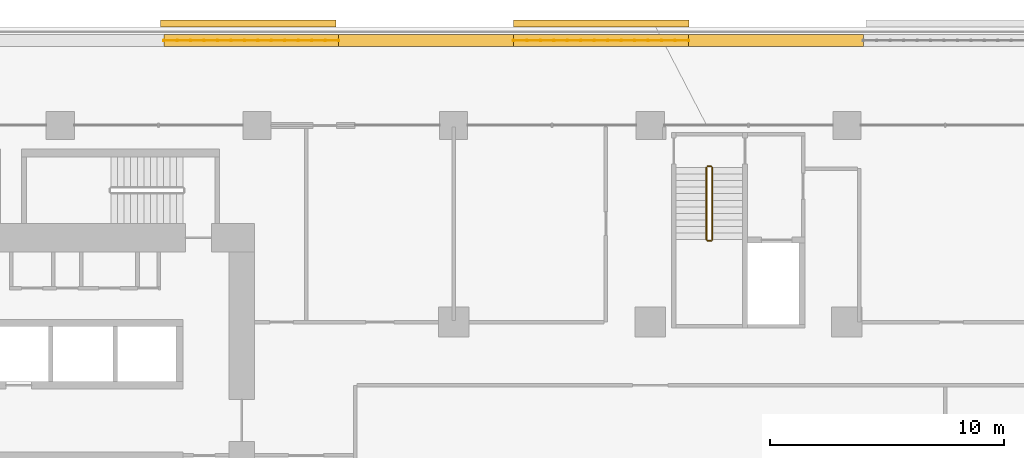
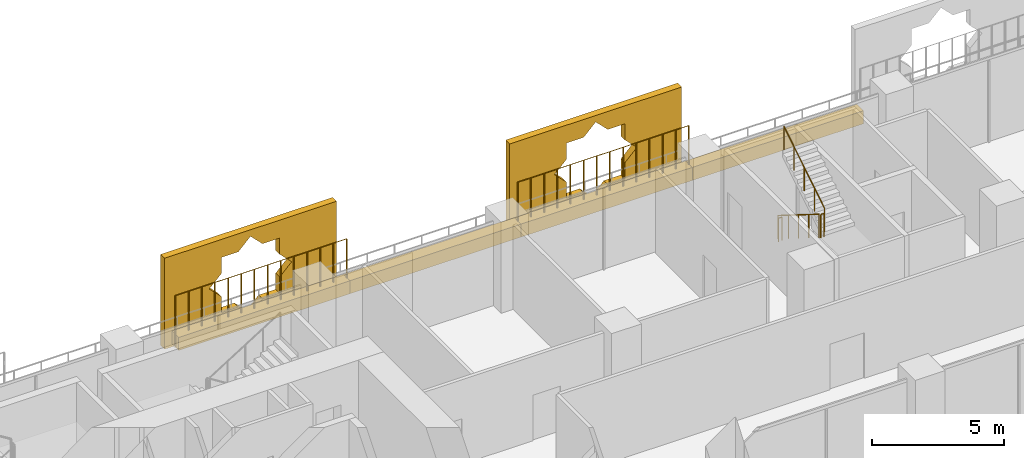
# One storey, part 26 of 27: 6 coverings, 6 railings.
"""IFC4 building model written with IfcOpenShell, lengths in metres."""

from ifc_helpers import new_model, si_unit, direction, frame, origin, origin_2d, place, context, subcontext, project, spatial, polyline, rectangle, circle, outline, extrude, material, material_profile, profile_set, type_object, element, save


model = new_model("IFC4")

# Units and contexts
model_context = context("Model", 3, precision=1e-05, world=origin(), true_north=direction((0.0, 1.0)))
body_context = subcontext(model_context, "Body", "Model", "MODEL_VIEW")
ifc_project = project(units=[si_unit("LENGTHUNIT", "METRE"), si_unit("AREAUNIT", "SQUARE_METRE"), si_unit("VOLUMEUNIT", "CUBIC_METRE"), si_unit("PLANEANGLEUNIT", "RADIAN"), si_unit("MASSUNIT", "GRAM", prefix="KILO")], contexts=[model_context])

# Site, building, storey
site_placement = place(None, origin())
site = spatial("IfcSite", under=ifc_project, at=site_placement, CompositionType="ELEMENT")
building_placement = place(site_placement, origin())
building = spatial("IfcBuilding", under=site, at=building_placement, Name="Kawkab Arch Medical Tower", CompositionType="ELEMENT")
storey_placement = place(building_placement, frame((0.0, 0.0, 43.39990234375)))
storey = spatial("IfcBuildingStorey", under=building, at=storey_placement, Name="L09", CompositionType="ELEMENT", Elevation=43.39990234375)

# Coverings
ifc_material_1 = material(Name="Bronze anodised aluminium mashrabiya panel, eight-point star pattern", Category="aluminium")
ifc_material_profile_1 = material_profile(ifc_material_1, outline(polyline([(-3.75, -2.10009765625), (3.75, -2.10009765625), (3.75, 2.10009765625), (-3.75, 2.10009765625), (-3.75, -2.10009765625)]), holes=[polyline([(1.800048828125, 0.0), (1.272705078125, 0.527099609375), (1.272705078125, 1.272705078125), (0.527099609375, 1.272705078125), (0.0, 1.800048828125), (-0.527099609375, 1.272705078125), (-1.272705078125, 1.272705078125), (-1.272705078125, 0.527099609375), (-1.800048828125, 0.0), (-1.272705078125, -0.527099609375), (-1.272705078125, -1.272705078125), (-0.527099609375, -1.272705078125), (0.0, -1.800048828125), (0.527099609375, -1.272705078125), (1.272705078125, -1.272705078125), (1.272705078125, -0.527099609375), (1.800048828125, 0.0)])]), Name="Mashrabiya panel 7500x4200")
ifc_profile_set_1 = profile_set([ifc_material_profile_1], Name="Bronze anodised aluminium mashrabiya panel, eight-point star pattern")
covering_type_1 = type_object("IfcCoveringType", Name="Mashrabiya panel 7500 x 4200", PredefinedType="USERDEFINED", material=ifc_profile_set_1)
for number, where, z_axis, x_axis, name in (
    (1, (24.83544921875, 4.199951171875, 1.7001953125), (0.0, 1.0, 0.0), (-1.0, 0.0, 0.0), "Mashrabiya panel L09.LOG-01-02.7"),
    (2, (39.89990234375, 4.199951171875, 1.7001953125), (0.0, 1.0, 0.0), (-1.0, 0.0, 0.0), "Mashrabiya panel L09.LOG-01-02.8"),
):
    element("IfcCovering", number, at=place(storey_placement, frame(where, z_axis=z_axis, x_axis=x_axis)), inside=storey, type_object=covering_type_1, Name=name, ObjectType="SCREEN", PredefinedType="USERDEFINED", context=body_context, shape_type="SweptSolid", body=[
        extrude(outline(polyline([(-3.75, -2.10009765625), (3.75, -2.10009765625), (3.75, 2.10009765625), (-3.75, 2.10009765625), (-3.75, -2.10009765625)]), holes=[polyline([(1.800048828125, 0.0), (1.272705078125, 0.527099609375), (1.272705078125, 1.272705078125), (0.527099609375, 1.272705078125), (0.0, 1.800048828125), (-0.527099609375, 1.272705078125), (-1.272705078125, 1.272705078125), (-1.272705078125, 0.527099609375), (-1.800048828125, 0.0), (-1.272705078125, -0.527099609375), (-1.272705078125, -1.272705078125), (-0.527099609375, -1.272705078125), (0.0, -1.800048828125), (0.527099609375, -1.272705078125), (1.272705078125, -1.272705078125), (1.272705078125, -0.527099609375), (1.800048828125, 0.0)])]), origin(), (0.0, 0.0, 1.0), 0.300048828125),
    ])
ifc_material_2 = material(Name="Planting soil in a precast trough", Category="concrete")
ifc_material_profile_2 = material_profile(ifc_material_2, rectangle(XDim=0.5, YDim=0.60009765625, at=origin_2d()), Name="Trough 500x600")
ifc_profile_set_2 = profile_set([ifc_material_profile_2], Name="Planting soil in a precast trough")
covering_type_2 = type_object("IfcCoveringType", Name="Planter trough 500 x 600", PredefinedType="USERDEFINED", material=ifc_profile_set_2)
covering_placement = place(storey_placement, frame((21.22412109375, 3.6201171875, 0.300048828125), z_axis=(1.0, 0.0, 0.0), x_axis=(0.0, 1.0, 0.0)))
element("IfcCovering", 3, at=covering_placement, inside=storey, type_object=covering_type_2, Name="Planter L09.LOG-01-02.27", ObjectType="PLANTER", PredefinedType="USERDEFINED", context=body_context, shape_type="SweptSolid", body=[
    extrude(rectangle(XDim=0.5, YDim=0.60009765625, at=origin_2d()), origin(), (0.0, 0.0, 1.0), 7.470947265625),
])
for number, where, z_axis, x_axis, name in (
    (4, (28.695068359375, 3.6201171875, 0.300048828125), (1.0, 0.0, 0.0), (0.0, 1.0, 0.0), "Planter L09.LOG-01-02.28"),
    (5, (36.1650390625, 3.6201171875, 0.300048828125), (1.0, 0.0, 0.0), (0.0, 1.0, 0.0), "Planter L09.LOG-01-02.29"),
    (6, (43.635009765625, 3.6201171875, 0.300048828125), (1.0, 0.0, 0.0), (0.0, 1.0, 0.0), "Planter L09.LOG-01-02.30"),
):
    element("IfcCovering", number, at=place(storey_placement, frame(where, z_axis=z_axis, x_axis=x_axis)), inside=storey, type_object=covering_type_2, Name=name, ObjectType="PLANTER", PredefinedType="USERDEFINED", context=body_context, shape_type="SweptSolid", body=[
        extrude(rectangle(XDim=0.5, YDim=0.60009765625, at=origin_2d()), origin(), (0.0, 0.0, 1.0), 7.469970703125),
    ])

# Railings
ifc_material_3 = material(Name="Bronze anodised aluminium trellis for climbing plants", Category="aluminium")
railing_type_1 = type_object("IfcRailingType", Name="Planting trellis 2400", PredefinedType="USERDEFINED", material=ifc_material_3)
railing_1_placement = place(storey_placement, frame((21.22412109375, 3.6201171875, 0.0)))
element("IfcRailing", 7, at=railing_1_placement, inside=storey, type_object=railing_type_1, Name="Planting trellis L09.LOG-01-02.27", ObjectType="TRELLIS", PredefinedType="USERDEFINED", context=body_context, shape_type="SweptSolid", body=[
    extrude(circle(Radius=0.01513671875, at=origin_2d()), frame((0.0, 0.0, 2.384765625), z_axis=(1.0, 0.0, 0.0), x_axis=(0.0, 1.0, 0.0)), (0.0, 0.0, 1.0), 7.470947265625),
    extrude(circle(Radius=0.030029296875, at=origin_2d()), origin(), (0.0, 0.0, 1.0), 2.369873046875),
    extrude(circle(Radius=0.030029296875, at=origin_2d()), frame((0.57470703125, 0.0, 0.0)), (0.0, 0.0, 1.0), 2.369873046875),
    extrude(circle(Radius=0.030029296875, at=origin_2d()), frame((1.1494140625, 0.0, 0.0)), (0.0, 0.0, 1.0), 2.369873046875),
    extrude(circle(Radius=0.030029296875, at=origin_2d()), frame((1.72412109375, 0.0, 0.0)), (0.0, 0.0, 1.0), 2.369873046875),
    extrude(circle(Radius=0.030029296875, at=origin_2d()), frame((2.298828125, 0.0, 0.0)), (0.0, 0.0, 1.0), 2.369873046875),
    extrude(circle(Radius=0.030029296875, at=origin_2d()), frame((2.87353515625, 0.0, 0.0)), (0.0, 0.0, 1.0), 2.369873046875),
    extrude(circle(Radius=0.030029296875, at=origin_2d()), frame((3.4482421875, 0.0, 0.0)), (0.0, 0.0, 1.0), 2.369873046875),
    extrude(circle(Radius=0.030029296875, at=origin_2d()), frame((4.022705078125, 0.0, 0.0)), (0.0, 0.0, 1.0), 2.369873046875),
    extrude(circle(Radius=0.030029296875, at=origin_2d()), frame((4.597412109375, 0.0, 0.0)), (0.0, 0.0, 1.0), 2.369873046875),
    extrude(circle(Radius=0.030029296875, at=origin_2d()), frame((5.172119140625, 0.0, 0.0)), (0.0, 0.0, 1.0), 2.369873046875),
    extrude(circle(Radius=0.030029296875, at=origin_2d()), frame((5.746826171875, 0.0, 0.0)), (0.0, 0.0, 1.0), 2.369873046875),
    extrude(circle(Radius=0.030029296875, at=origin_2d()), frame((6.321533203125, 0.0, 0.0)), (0.0, 0.0, 1.0), 2.369873046875),
    extrude(circle(Radius=0.030029296875, at=origin_2d()), frame((6.896240234375, 0.0, 0.0)), (0.0, 0.0, 1.0), 2.369873046875),
    extrude(circle(Radius=0.030029296875, at=origin_2d()), frame((7.470947265625, 0.0, 0.0)), (0.0, 0.0, 1.0), 2.369873046875),
])
railing_2_placement = place(storey_placement, frame((36.1650390625, 3.6201171875, 0.0)))
element("IfcRailing", 8, at=railing_2_placement, inside=storey, type_object=railing_type_1, Name="Planting trellis L09.LOG-01-02.29", ObjectType="TRELLIS", PredefinedType="USERDEFINED", context=body_context, shape_type="SweptSolid", body=[
    extrude(circle(Radius=0.01513671875, at=origin_2d()), frame((0.0, 0.0, 2.384765625), z_axis=(1.0, 0.0, 0.0), x_axis=(0.0, 1.0, 0.0)), (0.0, 0.0, 1.0), 7.469970703125),
    extrude(circle(Radius=0.030029296875, at=origin_2d()), origin(), (0.0, 0.0, 1.0), 2.369873046875),
    extrude(circle(Radius=0.030029296875, at=origin_2d()), frame((0.57470703125, 0.0, 0.0)), (0.0, 0.0, 1.0), 2.369873046875),
    extrude(circle(Radius=0.030029296875, at=origin_2d()), frame((1.149169921875, 0.0, 0.0)), (0.0, 0.0, 1.0), 2.369873046875),
    extrude(circle(Radius=0.030029296875, at=origin_2d()), frame((1.723876953125, 0.0, 0.0)), (0.0, 0.0, 1.0), 2.369873046875),
    extrude(circle(Radius=0.030029296875, at=origin_2d()), frame((2.29833984375, 0.0, 0.0)), (0.0, 0.0, 1.0), 2.369873046875),
    extrude(circle(Radius=0.030029296875, at=origin_2d()), frame((2.873046875, 0.0, 0.0)), (0.0, 0.0, 1.0), 2.369873046875),
    extrude(circle(Radius=0.030029296875, at=origin_2d()), frame((3.44775390625, 0.0, 0.0)), (0.0, 0.0, 1.0), 2.369873046875),
    extrude(circle(Radius=0.030029296875, at=origin_2d()), frame((4.022216796875, 0.0, 0.0)), (0.0, 0.0, 1.0), 2.369873046875),
    extrude(circle(Radius=0.030029296875, at=origin_2d()), frame((4.596923828125, 0.0, 0.0)), (0.0, 0.0, 1.0), 2.369873046875),
    extrude(circle(Radius=0.030029296875, at=origin_2d()), frame((5.171630859375, 0.0, 0.0)), (0.0, 0.0, 1.0), 2.369873046875),
    extrude(circle(Radius=0.030029296875, at=origin_2d()), frame((5.74609375, 0.0, 0.0)), (0.0, 0.0, 1.0), 2.369873046875),
    extrude(circle(Radius=0.030029296875, at=origin_2d()), frame((6.32080078125, 0.0, 0.0)), (0.0, 0.0, 1.0), 2.369873046875),
    extrude(circle(Radius=0.030029296875, at=origin_2d()), frame((6.895263671875, 0.0, 0.0)), (0.0, 0.0, 1.0), 2.369873046875),
    extrude(circle(Radius=0.030029296875, at=origin_2d()), frame((7.469970703125, 0.0, 0.0)), (0.0, 0.0, 1.0), 2.369873046875),
])
ifc_material_4 = material(Name="Stainless steel", Category="steel")
railing_type_2 = type_object("IfcRailingType", Name="Stair guard 1100", PredefinedType="GUARDRAIL", material=ifc_material_4)
railing_3_placement = place(storey_placement, frame((44.39990234375, -1.800048828125, 0.175048828125)))
element("IfcRailing", 9, at=railing_3_placement, inside=storey, type_object=railing_type_2, Name="L09 ST5 stair guard 1", PredefinedType="GUARDRAIL", context=body_context, shape_type="SweptSolid", body=[
    extrude(circle(Radius=0.02392578125, at=origin_2d()), frame((0.0, 0.0, 1.076171875), z_axis=(0.0, -0.847979421464, 0.530029150871), x_axis=(1.0, 0.0, 0.0)), (0.0, 0.0, 1.0), 3.632080078125),
    extrude(circle(Radius=0.02099609375, at=origin_2d()), origin(), (0.0, 0.0, 1.0), 1.052001953125),
    extrude(circle(Radius=0.02099609375, at=origin_2d()), frame((0.0, -0.77001953125, 0.481201171875)), (0.0, 0.0, 1.0), 1.052001953125),
    extrude(circle(Radius=0.02099609375, at=origin_2d()), frame((0.0, -1.5400390625, 0.96240234375)), (0.0, 0.0, 1.0), 1.052001953125),
    extrude(circle(Radius=0.02099609375, at=origin_2d()), frame((0.0, -2.309814453125, 1.44384765625)), (0.0, 0.0, 1.0), 1.052001953125),
    extrude(circle(Radius=0.02099609375, at=origin_2d()), frame((0.0, -3.079833984375, 1.925048828125)), (0.0, 0.0, 1.0), 1.052001953125),
])
railing_4_placement = place(storey_placement, frame((44.449951171875, -4.929931640625, 2.10009765625)))
element("IfcRailing", 10, at=railing_4_placement, inside=storey, type_object=railing_type_2, Name="L09 ST5 stair guard 2", PredefinedType="GUARDRAIL", context=body_context, shape_type="SweptSolid", body=[
    extrude(circle(Radius=0.02392578125, at=origin_2d()), frame((0.0, 0.0, 1.076171875), z_axis=(1.0, 0.0, 0.0), x_axis=(0.0, 1.0, 0.0)), (0.0, 0.0, 1.0), 0.150146484375),
    extrude(circle(Radius=0.02099609375, at=origin_2d()), origin(), (0.0, 0.0, 1.0), 1.052001953125),
    extrude(circle(Radius=0.02099609375, at=origin_2d()), frame((0.150146484375, 0.0, 0.0)), (0.0, 0.0, 1.0), 1.052001953125),
])
railing_5_placement = place(storey_placement, frame((44.64990234375, -4.8798828125, 2.275146484375)))
element("IfcRailing", 11, at=railing_5_placement, inside=storey, type_object=railing_type_2, Name="L09 ST5 stair guard 3", PredefinedType="GUARDRAIL", context=body_context, shape_type="SweptSolid", body=[
    extrude(circle(Radius=0.02392578125, at=origin_2d()), frame((0.0, 0.0, 1.076171875), z_axis=(0.0, 0.847979421464, 0.530029150871), x_axis=(-1.0, 0.0, 0.0)), (0.0, 0.0, 1.0), 3.632080078125),
    extrude(circle(Radius=0.02099609375, at=origin_2d()), origin(), (0.0, 0.0, 1.0), 1.052001953125),
    extrude(circle(Radius=0.02099609375, at=origin_2d()), frame((0.0, 0.77001953125, 0.481201171875)), (0.0, 0.0, 1.0), 1.052001953125),
    extrude(circle(Radius=0.02099609375, at=origin_2d()), frame((0.0, 1.5400390625, 0.96240234375)), (0.0, 0.0, 1.0), 1.052001953125),
    extrude(circle(Radius=0.02099609375, at=origin_2d()), frame((0.0, 2.309814453125, 1.44384765625)), (0.0, 0.0, 1.0), 1.052001953125),
    extrude(circle(Radius=0.02099609375, at=origin_2d()), frame((0.0, 3.079833984375, 1.925048828125)), (0.0, 0.0, 1.0), 1.052001953125),
])
railing_6_placement = place(storey_placement, frame((44.449951171875, -1.75, 0.0)))
element("IfcRailing", 12, at=railing_6_placement, inside=storey, type_object=railing_type_2, Name="L09 ST5 stair guard 4", PredefinedType="GUARDRAIL", context=body_context, shape_type="SweptSolid", body=[
    extrude(circle(Radius=0.02392578125, at=origin_2d()), frame((0.0, 0.0, 1.076171875), z_axis=(1.0, 0.0, 0.0), x_axis=(0.0, 1.0, 0.0)), (0.0, 0.0, 1.0), 0.150146484375),
    extrude(circle(Radius=0.02099609375, at=origin_2d()), origin(), (0.0, 0.0, 1.0), 1.052001953125),
    extrude(circle(Radius=0.02099609375, at=origin_2d()), frame((0.150146484375, 0.0, 0.0)), (0.0, 0.0, 1.0), 1.052001953125),
])

save(model, "model.ifc")
